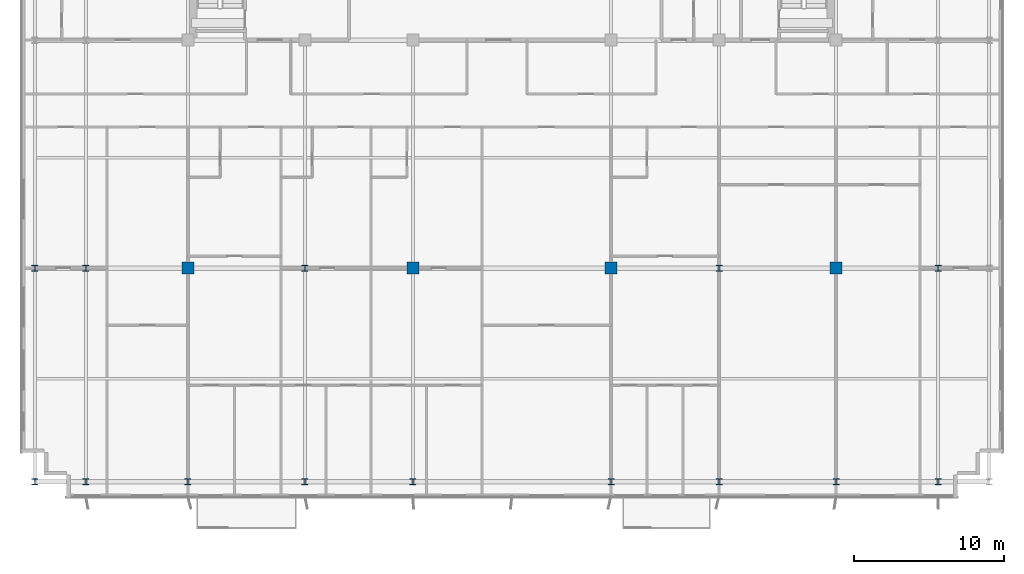
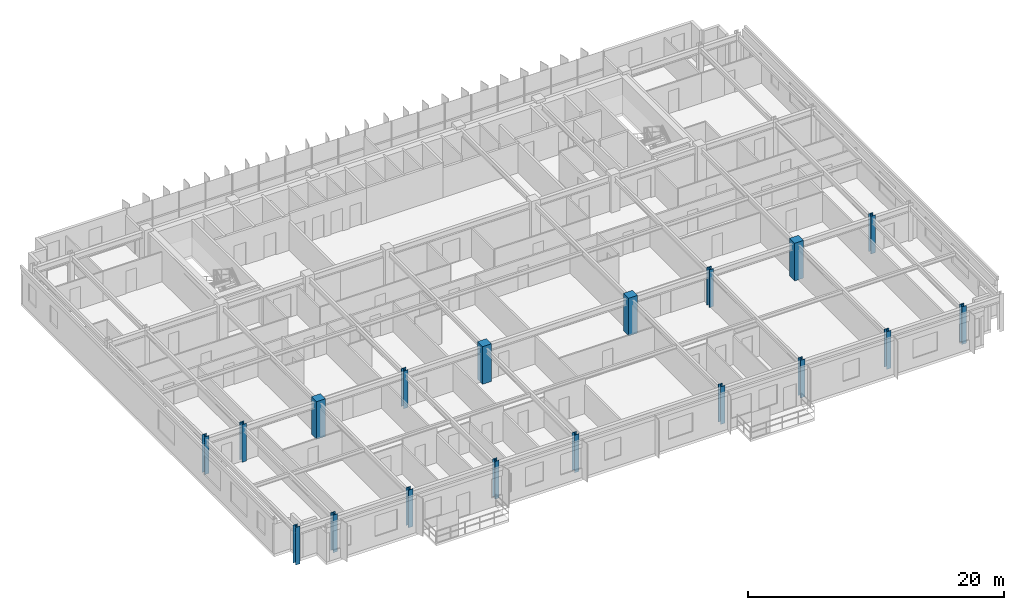
# One storey, part 1 of 22: 18 columns.
"""IFC4 building model written with IfcOpenShell, lengths in metres."""

from ifc_helpers import new_model, si_unit, direction, frame, origin, origin_2d, place, context, subcontext, project, spatial, rectangle, i_section, extrude, source, transform, mapped, material, material_profile, profile_set, type_object, element, save


model = new_model("IFC4")

# Units and contexts
model_context = context("Model", 3, precision=1e-05, world=origin(), true_north=direction((0.0, 1.0)))
body_context = subcontext(model_context, "Body", "Model", "MODEL_VIEW")
ifc_project = project(units=[si_unit("LENGTHUNIT", "METRE"), si_unit("AREAUNIT", "SQUARE_METRE"), si_unit("VOLUMEUNIT", "CUBIC_METRE"), si_unit("PLANEANGLEUNIT", "RADIAN"), si_unit("MASSUNIT", "GRAM", prefix="KILO")], contexts=[model_context])

# Site, building, storey
site_placement = place(None, origin())
site = spatial("IfcSite", under=ifc_project, at=site_placement, CompositionType="ELEMENT")
building_placement = place(site_placement, origin())
building = spatial("IfcBuilding", under=site, at=building_placement, Name="Trelvane Seafront Commons", CompositionType="ELEMENT")
storey_placement = place(building_placement, frame((0.0, 0.0, 117.699951171875)))
storey = spatial("IfcBuildingStorey", under=building, at=storey_placement, Name="L30", CompositionType="ELEMENT", Elevation=117.699951171875)

# Columns
ifc_material_1 = material(Name="Steel SM355 (S355)", Category="steel")
ifc_material_profile_1 = material_profile(ifc_material_1, i_section(OverallWidth=0.39990234375, OverallDepth=0.39990234375, WebThickness=0.02197265625, FlangeThickness=0.034912109375, at=origin_2d()), Name="HD-400x400x22x35")
ifc_profile_set_1 = profile_set([ifc_material_profile_1], Name="Steel SM355 (S355)")
column_type_1 = type_object("IfcColumnType", Name="STR-COL-HD400", PredefinedType="COLUMN", material=ifc_profile_set_1)
shared_shape_1 = source(origin(), body_context, "Body", "SweptSolid", [
    extrude(i_section(OverallWidth=0.39990234375, OverallDepth=0.39990234375, WebThickness=0.02197265625, FlangeThickness=0.034912109375, at=origin_2d()), origin(), (0.0, 0.0, 1.0), 3.60009765625),
])
for number, where, z_axis, x_axis, name in (
    (1, (5.39990234375, 3.949951171875, 0.0), (0.0, 0.0, 1.0), (1.0, 0.0, 0.0), "L30 Column TC-S5.4"),
    (2, (5.39990234375, 18.199951171875, 0.0), (0.0, 0.0, 1.0), (1.0, 0.0, 0.0), "L30 Column TC-M5.4"),
    (3, (8.800048828125, 3.949951171875, 0.0), (0.0, 0.0, 1.0), (1.0, 0.0, 0.0), "L30 Column TC-S8.8"),
    (4, (8.800048828125, 18.199951171875, 0.0), (0.0, 0.0, 1.0), (1.0, 0.0, 0.0), "L30 Column TC-M8.8"),
    (5, (15.60009765625, 3.949951171875, 0.0), (0.0, 0.0, 1.0), (1.0, 0.0, 0.0), "L30 Column TC-S15.6"),
    (6, (23.39990234375, 3.949951171875, 0.0), (0.0, 0.0, 1.0), (1.0, 0.0, 0.0), "L30 Column TC-S23.4"),
    (7, (23.39990234375, 18.199951171875, 0.0), (0.0, 0.0, 1.0), (1.0, 0.0, 0.0), "L30 Column TC-M23.4"),
    (8, (30.60009765625, 3.949951171875, 0.0), (0.0, 0.0, 1.0), (1.0, 0.0, 0.0), "L30 Column TC-S30.6"),
    (9, (43.800048828125, 3.949951171875, 0.0), (0.0, 0.0, 1.0), (1.0, 0.0, 0.0), "L30 Column TC-S43.8"),
    (10, (51.0, 3.949951171875, 0.0), (0.0, 0.0, 1.0), (1.0, 0.0, 0.0), "L30 Column TC-S51.0"),
    (11, (51.0, 18.199951171875, 0.0), (0.0, 0.0, 1.0), (1.0, 0.0, 0.0), "L30 Column TC-M51.0"),
    (12, (58.800048828125, 3.949951171875, 0.0), (0.0, 0.0, 1.0), (1.0, 0.0, 0.0), "L30 Column TC-S58.8"),
    (13, (65.60009765625, 3.949951171875, 0.0), (0.0, 0.0, 1.0), (1.0, 0.0, 0.0), "L30 Column TC-S65.6"),
    (14, (65.60009765625, 18.199951171875, 0.0), (0.0, 0.0, 1.0), (1.0, 0.0, 0.0), "L30 Column TC-M65.6"),
):
    element("IfcColumn", number, at=place(storey_placement, frame(where, z_axis=z_axis, x_axis=x_axis)), inside=storey, type_object=column_type_1, Name=name, PredefinedType="COLUMN", context=body_context, shape_type="MappedRepresentation", body=[
        mapped(shared_shape_1, transform((0.0, 0.0, 0.0), x_axis=(1.0, 0.0, 0.0), y_axis=(0.0, 1.0, 0.0), z_axis=(0.0, 0.0, 1.0), scale=1.0)),
    ])
ifc_material_2 = material(Name="Concrete C60/75", Category="concrete")
ifc_material_profile_2 = material_profile(ifc_material_2, rectangle(XDim=0.800048828125, YDim=0.800048828125, at=origin_2d()), Name="RC-800x800")
ifc_profile_set_2 = profile_set([ifc_material_profile_2], Name="Concrete C60/75")
column_type_2 = type_object("IfcColumnType", Name="STR-COL-RC800", PredefinedType="COLUMN", material=ifc_profile_set_2)
shared_shape_2 = source(origin(), body_context, "Body", "SweptSolid", [
    extrude(rectangle(XDim=0.800048828125, YDim=0.800048828125, at=origin_2d()), origin(), (0.0, 0.0, 1.0), 3.60009765625),
])
for number, where, z_axis, x_axis, name in (
    (15, (15.60009765625, 18.199951171875, 0.0), (0.0, 0.0, 1.0), (1.0, 0.0, 0.0), "L30 Column TC-M15.6"),
    (16, (30.60009765625, 18.199951171875, 0.0), (0.0, 0.0, 1.0), (1.0, 0.0, 0.0), "L30 Column TC-M30.6"),
    (17, (43.800048828125, 18.199951171875, 0.0), (0.0, 0.0, 1.0), (1.0, 0.0, 0.0), "L30 Column TC-M43.8"),
    (18, (58.800048828125, 18.199951171875, 0.0), (0.0, 0.0, 1.0), (1.0, 0.0, 0.0), "L30 Column TC-M58.8"),
):
    element("IfcColumn", number, at=place(storey_placement, frame(where, z_axis=z_axis, x_axis=x_axis)), inside=storey, type_object=column_type_2, Name=name, PredefinedType="COLUMN", context=body_context, shape_type="MappedRepresentation", body=[
        mapped(shared_shape_2, transform((0.0, 0.0, 0.0), x_axis=(1.0, 0.0, 0.0), y_axis=(0.0, 1.0, 0.0), z_axis=(0.0, 0.0, 1.0), scale=1.0)),
    ])

save(model, "model.ifc")
